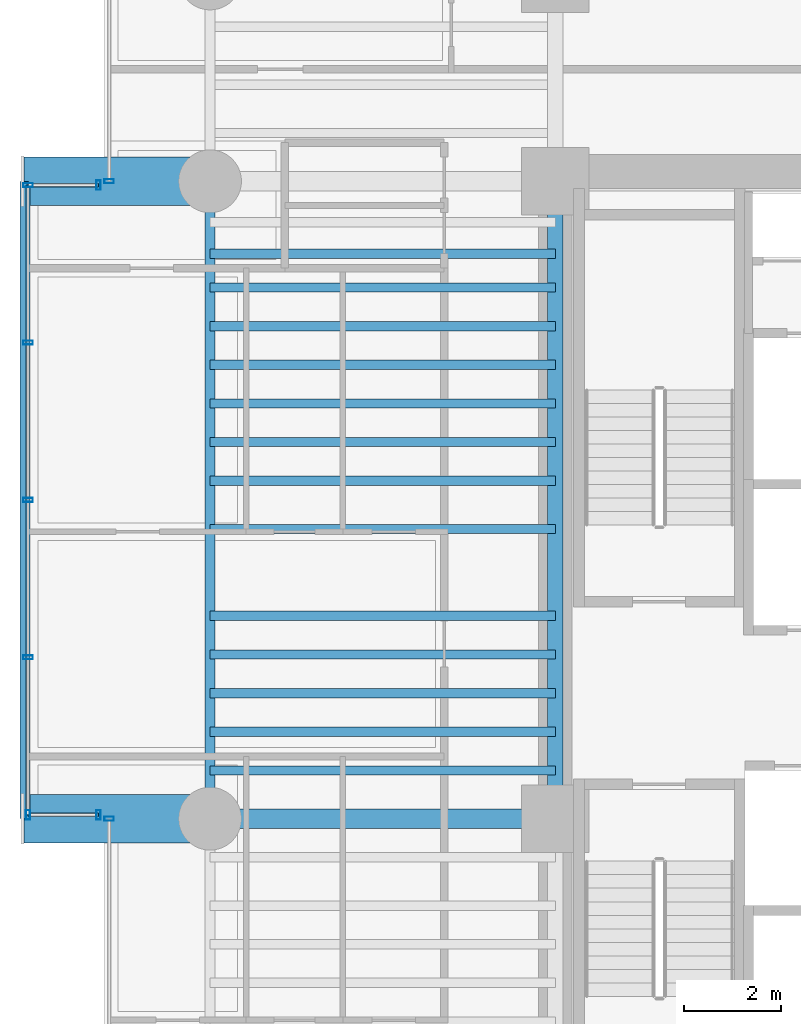
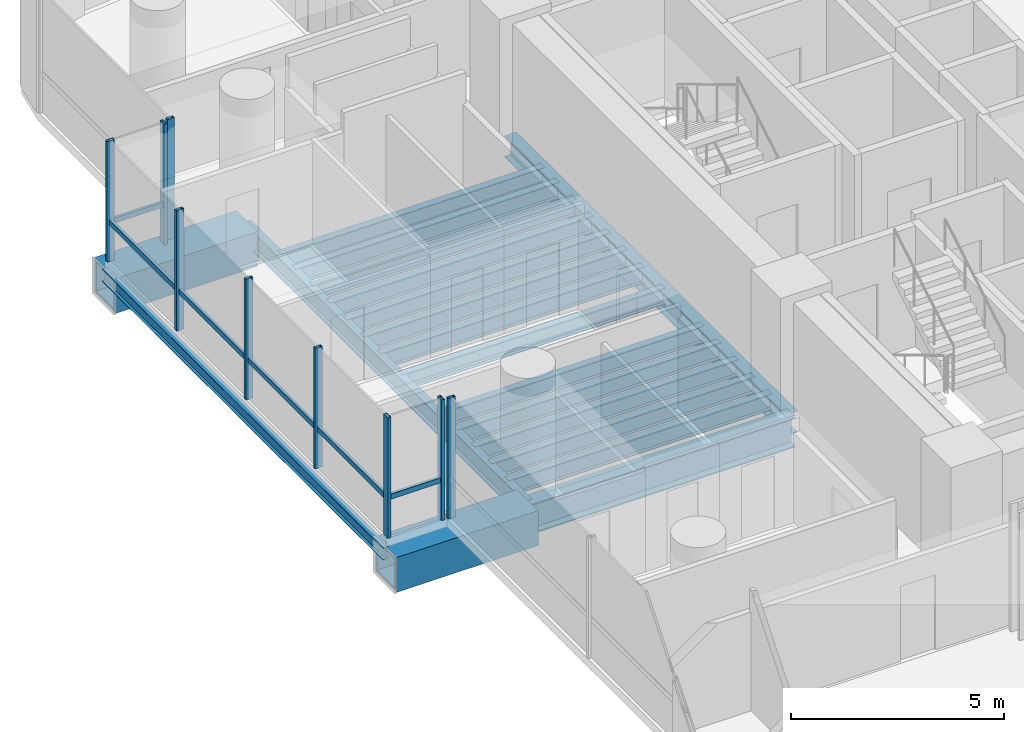
# One storey, part 8 of 40: 19 beams, 12 members, 5 elements without a shape of their own.
"""IFC4 building model written with IfcOpenShell, lengths in metres."""

import ifcopenshell
import ifcopenshell.guid

model = None  # the IFC model being written
_history = None  # IfcOwnerHistory: only IFC2X3 demands one
_inside = {}  # id of a spatial element -> (the spatial element, [elements in it])
_under = {}  # id of a project, library or spatial element -> (it, [spatial elements below it])
_declared = {}  # id of a project -> (the project, [libraries it declares])
_typed = {}  # id of a type object -> (the type object, [elements of that type])
_made_of = {}  # id of a material, layer set ... -> (it, [elements and type objects made of it])


def new_model(schema):
    """Start an empty IFC model of exactly this schema.

    Asked for "IFC4X3", IfcOpenShell would pick the latest addendum, in which some entities
    have other attributes; the version numbers below select the first issue.
    IFC2X3 requires an IfcOwnerHistory on every rooted entity: one is made here for all.
    """
    global model, _history
    if schema == "IFC4X3":
        model = ifcopenshell.file(schema_version=(4, 3, 0, 0))
    else:
        model = ifcopenshell.file(schema=schema)
    _inside.clear()
    _under.clear()
    _declared.clear()
    _typed.clear()
    _made_of.clear()
    _history = None
    if model.schema == "IFC2X3":
        org = make("IfcOrganization", Name="unknown")
        user = make(
            "IfcPersonAndOrganization",
            ThePerson=make("IfcPerson", FamilyName="unknown"),
            TheOrganization=org,
        )
        app = make(
            "IfcApplication",
            ApplicationDeveloper=org,
            Version="unknown",
            ApplicationFullName="unknown",
            ApplicationIdentifier="unknown",
        )
        _history = make(
            "IfcOwnerHistory",
            OwningUser=user,
            OwningApplication=app,
            ChangeAction="ADDED",
            CreationDate=0,
        )
    return model


def make(cls, **values):
    """One entity of the class cls with the attributes given. An attribute that is None is left unset."""
    return model.create_entity(
        cls, **{name: value for name, value in values.items() if value is not None}
    )


def rooted(cls, **values):
    """An entity with a GlobalId (a new one), such as an element, a storey or a relation."""
    return make(cls, GlobalId=ifcopenshell.guid.new(), OwnerHistory=_history, **values)


def si_unit(unit_type, name, prefix=None):
    """IfcSIUnit, for example si_unit("LENGTHUNIT", "METRE", prefix="MILLI")."""
    return make("IfcSIUnit", UnitType=unit_type, Prefix=prefix, Name=name)


def assignment(units):
    """IfcUnitAssignment: the units of a project."""
    return None if units is None else make("IfcUnitAssignment", Units=units)


def point(xyz):
    """IfcCartesianPoint."""
    return None if xyz is None else make("IfcCartesianPoint", Coordinates=xyz)


def direction(xyz):
    """IfcDirection."""
    return None if xyz is None else make("IfcDirection", DirectionRatios=xyz)


def frame(location, z_axis=None, x_axis=None):
    """IfcAxis2Placement3D, a coordinate frame: its origin and axes. An axis left out is left unset."""
    return make(
        "IfcAxis2Placement3D",
        Location=point(location),
        Axis=direction(z_axis),
        RefDirection=direction(x_axis),
    )


def frame_2d(location, x_axis=None):
    """IfcAxis2Placement2D, a coordinate frame in the plane: its origin and x axis."""
    return make(
        "IfcAxis2Placement2D", Location=point(location), RefDirection=direction(x_axis)
    )


def origin():
    """The frame at (0, 0, 0) with its axes left unset."""
    return frame((0.0, 0.0, 0.0))


def origin_2d():
    """The frame at (0, 0) in the plane with its x axis left unset."""
    return frame_2d((0.0, 0.0))


def place(relative_to, where):
    """IfcLocalPlacement: puts the frame where relative to a parent placement (None: the world)."""
    return make(
        "IfcLocalPlacement", PlacementRelTo=relative_to, RelativePlacement=where
    )


def context(
    kind, dimensions, precision=None, world=None, true_north=None, identifier=None
):
    """IfcGeometricRepresentationContext, for example the 3D "Model" context."""
    return make(
        "IfcGeometricRepresentationContext",
        ContextIdentifier=identifier,
        ContextType=kind,
        CoordinateSpaceDimension=dimensions,
        Precision=precision,
        WorldCoordinateSystem=world,
        TrueNorth=true_north,
    )


def subcontext(parent, identifier, kind, view, scale=None):
    """IfcGeometricRepresentationSubContext, for example "Body" below "Model"."""
    return make(
        "IfcGeometricRepresentationSubContext",
        ContextIdentifier=identifier,
        ContextType=kind,
        ParentContext=parent,
        TargetScale=scale,
        TargetView=view,
    )


def project(units=None, contexts=None):
    """IfcProject with its units and contexts."""
    return rooted(
        "IfcProject",
        Name="project",
        RepresentationContexts=contexts,
        UnitsInContext=assignment(units),
    )


def spatial(cls, under=None, at=None, **own):
    """A site, building, storey or space (cls), placed at a placement, below another one or the project."""
    s = rooted(cls, ObjectPlacement=at, **own)
    if under is not None:
        _under.setdefault(under.id(), (under, []))[1].append(s)
    return s


def profile(cls, at=None, kind="AREA", **sizes):
    """A parametric profile (cls). Its sizes go by their IFC names, for example OverallWidth=200.0."""
    return make(cls, ProfileType=kind, Position=at, **sizes)


def hollow_rectangle(**sizes):
    """IfcRectangleHollowProfileDef."""
    return profile("IfcRectangleHollowProfileDef", **sizes)


def i_section(**sizes):
    """IfcIShapeProfileDef."""
    return profile("IfcIShapeProfileDef", **sizes)


def extrude(swept, where, along, depth):
    """IfcExtrudedAreaSolid: the profile swept, set in the frame where, extruded along a direction by depth."""
    return make(
        "IfcExtrudedAreaSolid",
        SweptArea=swept,
        Position=where,
        ExtrudedDirection=direction(along),
        Depth=depth,
    )


def shape(context_of_items, identifier, shape_type, items):
    """IfcShapeRepresentation: the items that make up one representation, for example the "Body"."""
    return make(
        "IfcShapeRepresentation",
        ContextOfItems=context_of_items,
        RepresentationIdentifier=identifier,
        RepresentationType=shape_type,
        Items=items,
    )


def source(mapping_origin, context_of_items, identifier, shape_type, items):
    """IfcRepresentationMap: a shape defined once, which mapped items show again and again."""
    return make(
        "IfcRepresentationMap",
        MappingOrigin=mapping_origin,
        MappedRepresentation=shape(context_of_items, identifier, shape_type, items),
    )


def transform(
    local_origin,
    x_axis=None,
    y_axis=None,
    z_axis=None,
    scale=None,
    scale2=None,
    scale3=None,
    uniform=True,
):
    """IfcCartesianTransformationOperator3D, or its non-uniform kind. x_axis, y_axis, z_axis: its Axis1, 2, 3."""
    if uniform:
        return make(
            "IfcCartesianTransformationOperator3D",
            Axis1=direction(x_axis),
            Axis2=direction(y_axis),
            LocalOrigin=point(local_origin),
            Scale=scale,
            Axis3=direction(z_axis),
        )
    return make(
        "IfcCartesianTransformationOperator3DnonUniform",
        Axis1=direction(x_axis),
        Axis2=direction(y_axis),
        LocalOrigin=point(local_origin),
        Scale=scale,
        Axis3=direction(z_axis),
        Scale2=scale2,
        Scale3=scale3,
    )


def mapped(mapping_source, mapping_target):
    """IfcMappedItem: shows the shape of a source again, moved by a transform."""
    return make(
        "IfcMappedItem", MappingSource=mapping_source, MappingTarget=mapping_target
    )


def material(Name=None, Category=None):
    """IfcMaterial."""
    return make("IfcMaterial", Name=Name, Category=Category)


def material_profile(
    of_material, cross_section, Name=None, Category=None, Priority=None
):
    """IfcMaterialProfile: a cross section and its material."""
    return make(
        "IfcMaterialProfile",
        Name=Name,
        Material=of_material,
        Profile=cross_section,
        Priority=Priority,
        Category=Category,
    )


def profile_set(profiles, Name=None, composite=None):
    """IfcMaterialProfileSet."""
    return make(
        "IfcMaterialProfileSet",
        Name=Name,
        MaterialProfiles=profiles,
        CompositeProfile=composite,
    )


def made_of(thing, what):
    """Note that an element or type object is made of a material, layer set ...; save() writes the relation."""
    if what is not None:
        _made_of.setdefault(what.id(), (what, []))[1].append(thing)
    return thing


def type_object(cls, material=None, **own):
    """A type object (cls), such as IfcWallType, which elements share."""
    return made_of(rooted(cls, **own), material)


def element(
    cls,
    number,
    at=None,
    inside=None,
    cuts=None,
    type_object=None,
    material=None,
    context=None,
    identifier="Body",
    shape_type=None,
    held_by="IfcProductDefinitionShape",
    body=None,
    shapes=None,
    **own,
):
    """One element of the class cls, such as IfcWall. Its Tag is "e" and its number.

    at: its placement. inside: the storey or other place that contains it. cuts: it is an
    opening in that element (IfcRelVoidsElement). A single representation is given by context,
    identifier, shape_type and body (its items); several are given by shapes. held_by: the class
    of the entity that holds the representations. save() writes the other relations.
    """
    e = rooted(cls, Tag="e%d" % number, ObjectPlacement=at, **own)
    if body is not None:
        shapes = [shape(context, identifier, shape_type, body)]
    if shapes is not None:
        e.Representation = make(held_by, Representations=shapes)
    if inside is not None:
        _inside.setdefault(inside.id(), (inside, []))[1].append(e)
    if cuts is not None:
        rooted(
            "IfcRelVoidsElement", RelatingBuildingElement=cuts, RelatedOpeningElement=e
        )
    if type_object is not None:
        _typed.setdefault(type_object.id(), (type_object, []))[1].append(e)
    return made_of(e, material)


def aggregate(whole, parts):
    """IfcRelAggregates: a whole, such as a stair, and the parts it consists of."""
    return rooted("IfcRelAggregates", RelatingObject=whole, RelatedObjects=parts)


def save(model, path):
    """Write the relations noted so far, then the file.

    IfcRelAggregates (storeys below a building ...), IfcRelContainedInSpatialStructure (elements
    in a storey), IfcRelDefinesByType, IfcRelAssociatesMaterial and IfcRelDeclares: one each for
    every whole, place, type object, material and project.
    """
    for whole, parts in _under.values():
        aggregate(whole, parts)
    for where, things in _inside.values():
        rooted(
            "IfcRelContainedInSpatialStructure",
            RelatedElements=things,
            RelatingStructure=where,
        )
    for kind, things in _typed.values():
        rooted("IfcRelDefinesByType", RelatedObjects=things, RelatingType=kind)
    for what, things in _made_of.values():
        rooted("IfcRelAssociatesMaterial", RelatedObjects=things, RelatingMaterial=what)
    for by, libraries in _declared.values():
        rooted("IfcRelDeclares", RelatingContext=by, RelatedDefinitions=libraries)
    model.write(path)


model = new_model("IFC4")

# Units and contexts
model_context = context("Model", 3, precision=1e-05, world=origin(), true_north=direction((0.0, 1.0)))
body_context = subcontext(model_context, "Body", "Model", "MODEL_VIEW")
ifc_project = project(units=[si_unit("LENGTHUNIT", "METRE"), si_unit("AREAUNIT", "SQUARE_METRE"), si_unit("VOLUMEUNIT", "CUBIC_METRE"), si_unit("PLANEANGLEUNIT", "RADIAN"), si_unit("MASSUNIT", "GRAM", prefix="KILO")], contexts=[model_context])

# Site, building, storey
site_placement = place(None, origin())
site = spatial("IfcSite", under=ifc_project, at=site_placement, CompositionType="ELEMENT")
building_placement = place(site_placement, origin())
building = spatial("IfcBuilding", under=site, at=building_placement, Name="Valdorenza Pilgrim Sanctuary Tower", CompositionType="ELEMENT")
storey_placement = place(building_placement, frame((0.0, 0.0, 40.800048828125)))
storey = spatial("IfcBuildingStorey", under=building, at=storey_placement, Name="L09", CompositionType="ELEMENT", Elevation=40.800048828125)

# Beams
ifc_material_1 = material(Name="Steel ASTM A992 Grade 50", Category="steel")
ifc_material_profile_1 = material_profile(ifc_material_1, i_section(OverallWidth=0.214111328125, OverallDepth=0.549072265625, WebThickness=0.0146484375, FlangeThickness=0.023681640625, at=origin_2d()), Name="W21X93")
ifc_profile_set_1 = profile_set([ifc_material_profile_1], Name="Steel ASTM A992 Grade 50")
beam_type_1 = type_object("IfcBeamType", Name="STR-BM-SPN-W21A", PredefinedType="SPANDREL", material=ifc_profile_set_1)
shared_shape_1 = source(origin(), body_context, "Body", "SweptSolid", [
    extrude(i_section(OverallWidth=0.214111328125, OverallDepth=0.549072265625, WebThickness=0.0146484375, FlangeThickness=0.023681640625, at=origin_2d()), origin(), (0.0, 0.0, 1.0), 13.2001953125),
])
beam_1_placement = place(storey_placement, frame((-29.800048828125, -2.60009765625, -0.5146484375), z_axis=(0.0, 1.0, 0.0), x_axis=(-1.0, 0.0, 0.0)))
element("IfcBeam", 1, at=beam_1_placement, inside=storey, type_object=beam_type_1, Name="L09 Spandrel Beam WA-W-M0N1", PredefinedType="SPANDREL", context=body_context, shape_type="MappedRepresentation", body=[
    mapped(shared_shape_1, transform((0.0, 0.0, 0.0), x_axis=(1.0, 0.0, 0.0), y_axis=(0.0, 1.0, 0.0), z_axis=(0.0, 0.0, 1.0), scale=1.0)),
])
ifc_material_profile_2 = material_profile(ifc_material_1, i_section(OverallWidth=0.323974609375, OverallDepth=0.611083984375, WebThickness=0.0126953125, FlangeThickness=0.01904296875, at=origin_2d()), Name="W24X104")
ifc_profile_set_2 = profile_set([ifc_material_profile_2], Name="Steel ASTM A992 Grade 50")
beam_type_2 = type_object("IfcBeamType", Name="STR-BM-GRD-W24B", PredefinedType="BEAM", material=ifc_profile_set_2)
shared_shape_2 = source(origin(), body_context, "Body", "SweptSolid", [
    extrude(i_section(OverallWidth=0.323974609375, OverallDepth=0.611083984375, WebThickness=0.0126953125, FlangeThickness=0.01904296875, at=origin_2d()), origin(), (0.0, 0.0, 1.0), 13.2001953125),
])
beam_2_placement = place(storey_placement, frame((-22.64990234375, -2.60009765625, -0.545654296875), z_axis=(0.0, 1.0, 0.0), x_axis=(-1.0, 0.0, 0.0)))
element("IfcBeam", 2, at=beam_2_placement, inside=storey, type_object=beam_type_2, Name="L09 Core Tie Girder CA-W-M0N1", PredefinedType="BEAM", context=body_context, shape_type="MappedRepresentation", body=[
    mapped(shared_shape_2, transform((0.0, 0.0, 0.0), x_axis=(1.0, 0.0, 0.0), y_axis=(0.0, 1.0, 0.0), z_axis=(0.0, 0.0, 1.0), scale=1.0)),
])
ifc_material_profile_3 = material_profile(ifc_material_1, i_section(OverallWidth=0.193115234375, OverallDepth=0.466064453125, WebThickness=0.011474609375, FlangeThickness=0.01904296875, at=origin_2d()), Name="W18X65")
ifc_profile_set_3 = profile_set([ifc_material_profile_3], Name="Steel ASTM A992 Grade 50")
beam_type_3 = type_object("IfcBeamType", Name="STR-BM-JST-W18A", PredefinedType="JOIST", material=ifc_profile_set_3)
shared_shape_3 = source(origin(), body_context, "Body", "SweptSolid", [
    extrude(i_section(OverallWidth=0.193115234375, OverallDepth=0.466064453125, WebThickness=0.011474609375, FlangeThickness=0.01904296875, at=origin_2d()), origin(), (0.0, 0.0, 1.0), 7.150146484375),
])
for number, where, z_axis, x_axis, name in (
    (3, (-29.800048828125, -1.60009765625, -0.47314453125), (1.0, 0.0, 0.0), (0.0, 1.0, 0.0), "L09 Composite Floor Joist JST-WA-10"),
    (4, (-29.800048828125, -0.800048828125, -0.47314453125), (1.0, 0.0, 0.0), (0.0, 1.0, 0.0), "L09 Composite Floor Joist JST-WA-11"),
    (5, (-29.800048828125, 0.0, -0.47314453125), (1.0, 0.0, 0.0), (0.0, 1.0, 0.0), "L09 Composite Floor Joist JST-WA-12"),
    (6, (-29.800048828125, 0.800048828125, -0.47314453125), (1.0, 0.0, 0.0), (0.0, 1.0, 0.0), "L09 Composite Floor Joist JST-WA-13"),
    (7, (-29.800048828125, 1.60009765625, -0.47314453125), (1.0, 0.0, 0.0), (0.0, 1.0, 0.0), "L09 Composite Floor Joist JST-WA-14"),
    (8, (-29.800048828125, 3.39990234375, -0.47314453125), (1.0, 0.0, 0.0), (0.0, 1.0, 0.0), "L09 Composite Floor Joist JST-WA-15"),
    (9, (-29.800048828125, 4.39990234375, -0.47314453125), (1.0, 0.0, 0.0), (0.0, 1.0, 0.0), "L09 Composite Floor Joist JST-WA-16"),
    (10, (-29.800048828125, 5.199951171875, -0.47314453125), (1.0, 0.0, 0.0), (0.0, 1.0, 0.0), "L09 Composite Floor Joist JST-WA-17"),
    (11, (-29.800048828125, 6.0, -0.47314453125), (1.0, 0.0, 0.0), (0.0, 1.0, 0.0), "L09 Composite Floor Joist JST-WA-18"),
    (12, (-29.800048828125, 6.800048828125, -0.47314453125), (1.0, 0.0, 0.0), (0.0, 1.0, 0.0), "L09 Composite Floor Joist JST-WA-19"),
    (13, (-29.800048828125, 7.60009765625, -0.47314453125), (1.0, 0.0, 0.0), (0.0, 1.0, 0.0), "L09 Composite Floor Joist JST-WA-20"),
    (14, (-29.800048828125, 8.39990234375, -0.47314453125), (1.0, 0.0, 0.0), (0.0, 1.0, 0.0), "L09 Composite Floor Joist JST-WA-21"),
    (15, (-29.800048828125, 9.10009765625, -0.47314453125), (1.0, 0.0, 0.0), (0.0, 1.0, 0.0), "L09 Composite Floor Joist JST-WA-22"),
):
    element("IfcBeam", number, at=place(storey_placement, frame(where, z_axis=z_axis, x_axis=x_axis)), inside=storey, type_object=beam_type_3, Name=name, PredefinedType="JOIST", context=body_context, shape_type="MappedRepresentation", body=[
        mapped(shared_shape_3, transform((0.0, 0.0, 0.0), x_axis=(1.0, 0.0, 0.0), y_axis=(0.0, 1.0, 0.0), z_axis=(0.0, 0.0, 1.0), scale=1.0)),
    ])
ifc_material_2 = material(Name="Steel ASTM A572 Grade 42", Category="steel")
ifc_material_profile_4 = material_profile(ifc_material_2, hollow_rectangle(XDim=1.0, YDim=1.0, WallThickness=0.080078125, at=origin_2d()), Name="BOX 1000x1000x80")
ifc_profile_set_4 = profile_set([ifc_material_profile_4], Name="Steel ASTM A572 Grade 42")
beam_type_4 = type_object("IfcBeamType", Name="STR-BM-PROW-CANT", PredefinedType="BEAM", material=ifc_profile_set_4)
shared_shape_4 = source(origin(), body_context, "Body", "SweptSolid", [
    extrude(hollow_rectangle(XDim=1.0, YDim=1.0, WallThickness=0.080078125, at=origin_2d()), origin(), (0.0, 0.0, 1.0), 3.849853515625),
])
for number, where, z_axis, x_axis, name in (
    (16, (-29.800048828125, 10.60009765625, -0.739990234375), (-1.0, 0.0, 0.0), (0.0, -1.0, 0.0), "L09 Glass Box Cantilever Beam BOX-WA-L09-CT-N"),
    (17, (-29.800048828125, -2.60009765625, -0.739990234375), (-1.0, 0.0, 0.0), (0.0, -1.0, 0.0), "L09 Glass Box Cantilever Beam BOX-WA-L09-CT-S"),
):
    element("IfcBeam", number, at=place(storey_placement, frame(where, z_axis=z_axis, x_axis=x_axis)), inside=storey, type_object=beam_type_4, Name=name, PredefinedType="BEAM", context=body_context, shape_type="MappedRepresentation", body=[
        mapped(shared_shape_4, transform((0.0, 0.0, 0.0), x_axis=(1.0, 0.0, 0.0), y_axis=(0.0, 1.0, 0.0), z_axis=(0.0, 0.0, 1.0), scale=1.0)),
    ])
ifc_material_profile_5 = material_profile(ifc_material_1, i_section(OverallWidth=0.39990234375, OverallDepth=0.862060546875, WebThickness=0.019775390625, FlangeThickness=0.032470703125, at=origin_2d()), Name="W33X221")
ifc_profile_set_5 = profile_set([ifc_material_profile_5], Name="Steel ASTM A992 Grade 50")
beam_type_5 = type_object("IfcBeamType", Name="STR-BM-GRD-W33", PredefinedType="BEAM", material=ifc_profile_set_5)
shared_shape_5 = source(origin(), body_context, "Body", "SweptSolid", [
    extrude(i_section(OverallWidth=0.39990234375, OverallDepth=0.862060546875, WebThickness=0.019775390625, FlangeThickness=0.032470703125, at=origin_2d()), origin(), (0.0, 0.0, 1.0), 7.150146484375),
])
beam_3_placement = place(storey_placement, frame((-29.800048828125, -2.60009765625, -0.671142578125), z_axis=(1.0, 0.0, 0.0), x_axis=(0.0, 1.0, 0.0)))
element("IfcBeam", 18, at=beam_3_placement, inside=storey, type_object=beam_type_5, Name="L09 Floor Girder WA-XW-M0", PredefinedType="BEAM", context=body_context, shape_type="MappedRepresentation", body=[
    mapped(shared_shape_5, transform((0.0, 0.0, 0.0), x_axis=(1.0, 0.0, 0.0), y_axis=(0.0, 1.0, 0.0), z_axis=(0.0, 0.0, 1.0), scale=1.0)),
])
ifc_material_profile_6 = material_profile(ifc_material_1, i_section(OverallWidth=0.1708984375, OverallDepth=0.35107421875, WebThickness=0.0068359375, FlangeThickness=0.009765625, at=origin_2d()), Name="W14X30")
ifc_profile_set_6 = profile_set([ifc_material_profile_6], Name="Steel ASTM A992 Grade 50")
beam_type_6 = type_object("IfcBeamType", Name="STR-BM-BOX-W14", PredefinedType="BEAM", material=ifc_profile_set_6)
shared_shape_6 = source(origin(), body_context, "Body", "SweptSolid", [
    extrude(i_section(OverallWidth=0.1708984375, OverallDepth=0.35107421875, WebThickness=0.0068359375, FlangeThickness=0.009765625, at=origin_2d()), origin(), (0.0, 0.0, 1.0), 13.2001953125),
])
beam_4_placement = place(storey_placement, frame((-33.64990234375, -2.60009765625, -0.41552734375), z_axis=(0.0, 1.0, 0.0), x_axis=(-1.0, 0.0, 0.0)))
element("IfcBeam", 19, at=beam_4_placement, inside=storey, type_object=beam_type_6, Name="L09 Glass Box Edge Beam BOX-WA-L09-F", PredefinedType="BEAM", context=body_context, shape_type="MappedRepresentation", body=[
    mapped(shared_shape_6, transform((0.0, 0.0, 0.0), x_axis=(1.0, 0.0, 0.0), y_axis=(0.0, 1.0, 0.0), z_axis=(0.0, 0.0, 1.0), scale=1.0)),
])

# Curtain wall, member
ifc_material_3 = material(Name="Curtain-wall IGU glazing", Category="glass")
curtain_wall_type = type_object("IfcCurtainWallType", Name="CW-SYS-02", PredefinedType="NOTDEFINED", material=ifc_material_3)
curtain_wall_1_placement = place(storey_placement, origin())
curtain_wall_1 = element("IfcCurtainWall", 20, at=curtain_wall_1_placement, inside=storey, type_object=curtain_wall_type, Name="L09 Curtain Wall CW-L09-1-1S1", PredefinedType="NOTDEFINED")
ifc_material_4 = material(Name="Anodised aluminium AW-6060", Category="aluminium")
ifc_material_profile_7 = material_profile(ifc_material_4, hollow_rectangle(XDim=0.0849609375, YDim=0.199951171875, WallThickness=0.0048828125, at=origin_2d()), Name="ALU-M 200x85x5")
ifc_profile_set_7 = profile_set([ifc_material_profile_7], Name="Anodised aluminium AW-6060")
member_type_1 = type_object("IfcMemberType", Name="CW-MUL-02", PredefinedType="MULLION", material=ifc_profile_set_7)
shared_shape_7 = source(origin(), body_context, "Body", "SweptSolid", [
    extrude(hollow_rectangle(XDim=0.0849609375, YDim=0.199951171875, WallThickness=0.0048828125, at=origin_2d()), origin(), (0.0, 0.0, 1.0), 3.4599609375),
])
member_1_placement = place(storey_placement, frame((-31.889892578125, -2.60009765625, 0.0), z_axis=(0.0, 0.0, 1.0), x_axis=(0.0, 1.0, 0.0)))
member_1 = element("IfcMember", 21, at=member_1_placement, type_object=member_type_1, Name="CW-L09-1-1S1 Mullion 3", PredefinedType="MULLION", context=body_context, shape_type="MappedRepresentation", body=[
    mapped(shared_shape_7, transform((0.0, 0.0, 0.0), x_axis=(1.0, 0.0, 0.0), y_axis=(0.0, 1.0, 0.0), z_axis=(0.0, 0.0, 1.0), scale=1.0)),
])
aggregate(curtain_wall_1, [member_1])

curtain_wall_2_placement = place(storey_placement, origin())
curtain_wall_2 = element("IfcCurtainWall", 22, at=curtain_wall_2_placement, inside=storey, type_object=curtain_wall_type, Name="L09 Curtain Wall CW-L09-1-1S2", PredefinedType="NOTDEFINED")
member_2_placement = place(storey_placement, frame((-31.889892578125, 10.60009765625, 0.0), z_axis=(0.0, 0.0, 1.0), x_axis=(0.0, 1.0, 0.0)))
member_2 = element("IfcMember", 23, at=member_2_placement, type_object=member_type_1, Name="CW-L09-1-1S2 Mullion 1", PredefinedType="MULLION", context=body_context, shape_type="MappedRepresentation", body=[
    mapped(shared_shape_7, transform((0.0, 0.0, 0.0), x_axis=(1.0, 0.0, 0.0), y_axis=(0.0, 1.0, 0.0), z_axis=(0.0, 0.0, 1.0), scale=1.0)),
])
aggregate(curtain_wall_2, [member_2])

# Curtain wall, members
curtain_wall_3_placement = place(storey_placement, origin())
curtain_wall_3 = element("IfcCurtainWall", 24, at=curtain_wall_3_placement, inside=storey, type_object=curtain_wall_type, Name="L09 Curtain Wall CW-L09-BOX-WA-L09-S", PredefinedType="NOTDEFINED")
member_3_placement = place(storey_placement, frame((-32.110107421875, -2.52001953125, 0.0), z_axis=(0.0, 0.0, 1.0), x_axis=(-1.0, 0.0, 0.0)))
member_3 = element("IfcMember", 25, at=member_3_placement, type_object=member_type_1, Name="CW-L09-BOX-WA-L09-S Mullion 1", PredefinedType="MULLION", context=body_context, shape_type="MappedRepresentation", body=[
    mapped(shared_shape_7, transform((0.0, 0.0, 0.0), x_axis=(1.0, 0.0, 0.0), y_axis=(0.0, 1.0, 0.0), z_axis=(0.0, 0.0, 1.0), scale=1.0)),
])
member_4_placement = place(storey_placement, frame((-33.570068359375, -2.52001953125, 0.0), z_axis=(0.0, 0.0, 1.0), x_axis=(-1.0, 0.0, 0.0)))
member_4 = element("IfcMember", 26, at=member_4_placement, type_object=member_type_1, Name="CW-L09-BOX-WA-L09-S Mullion 2", PredefinedType="MULLION", context=body_context, shape_type="MappedRepresentation", body=[
    mapped(shared_shape_7, transform((0.0, 0.0, 0.0), x_axis=(1.0, 0.0, 0.0), y_axis=(0.0, 1.0, 0.0), z_axis=(0.0, 0.0, 1.0), scale=1.0)),
])

curtain_wall_4_placement = place(storey_placement, origin())
curtain_wall_4 = element("IfcCurtainWall", 27, at=curtain_wall_4_placement, inside=storey, type_object=curtain_wall_type, Name="L09 Curtain Wall CW-L09-BOX-WA-L09-F", PredefinedType="NOTDEFINED")
member_5_placement = place(storey_placement, frame((-33.570068359375, 0.739990234375, 0.0), z_axis=(0.0, 0.0, 1.0), x_axis=(0.0, 1.0, 0.0)))
member_5 = element("IfcMember", 28, at=member_5_placement, type_object=member_type_1, Name="CW-L09-BOX-WA-L09-F Mullion 2", PredefinedType="MULLION", context=body_context, shape_type="MappedRepresentation", body=[
    mapped(shared_shape_7, transform((0.0, 0.0, 0.0), x_axis=(1.0, 0.0, 0.0), y_axis=(0.0, 1.0, 0.0), z_axis=(0.0, 0.0, 1.0), scale=1.0)),
])
member_6_placement = place(storey_placement, frame((-33.570068359375, 4.0, 0.0), z_axis=(0.0, 0.0, 1.0), x_axis=(0.0, 1.0, 0.0)))
member_6 = element("IfcMember", 29, at=member_6_placement, type_object=member_type_1, Name="CW-L09-BOX-WA-L09-F Mullion 3", PredefinedType="MULLION", context=body_context, shape_type="MappedRepresentation", body=[
    mapped(shared_shape_7, transform((0.0, 0.0, 0.0), x_axis=(1.0, 0.0, 0.0), y_axis=(0.0, 1.0, 0.0), z_axis=(0.0, 0.0, 1.0), scale=1.0)),
])
member_7_placement = place(storey_placement, frame((-33.570068359375, 7.260009765625, 0.0), z_axis=(0.0, 0.0, 1.0), x_axis=(0.0, 1.0, 0.0)))
member_7 = element("IfcMember", 30, at=member_7_placement, type_object=member_type_1, Name="CW-L09-BOX-WA-L09-F Mullion 4", PredefinedType="MULLION", context=body_context, shape_type="MappedRepresentation", body=[
    mapped(shared_shape_7, transform((0.0, 0.0, 0.0), x_axis=(1.0, 0.0, 0.0), y_axis=(0.0, 1.0, 0.0), z_axis=(0.0, 0.0, 1.0), scale=1.0)),
])
member_8_placement = place(storey_placement, frame((-33.570068359375, 10.52001953125, 0.0), z_axis=(0.0, 0.0, 1.0), x_axis=(0.0, 1.0, 0.0)))
member_8 = element("IfcMember", 31, at=member_8_placement, type_object=member_type_1, Name="CW-L09-BOX-WA-L09-F Mullion 5", PredefinedType="MULLION", context=body_context, shape_type="MappedRepresentation", body=[
    mapped(shared_shape_7, transform((0.0, 0.0, 0.0), x_axis=(1.0, 0.0, 0.0), y_axis=(0.0, 1.0, 0.0), z_axis=(0.0, 0.0, 1.0), scale=1.0)),
])

# Curtain wall, member
curtain_wall_5_placement = place(storey_placement, origin())
curtain_wall_5 = element("IfcCurtainWall", 32, at=curtain_wall_5_placement, inside=storey, type_object=curtain_wall_type, Name="L09 Curtain Wall CW-L09-BOX-WA-L09-N", PredefinedType="NOTDEFINED")
member_9_placement = place(storey_placement, frame((-32.110107421875, 10.52001953125, 0.0), z_axis=(0.0, 0.0, 1.0), x_axis=(1.0, 0.0, 0.0)))
member_9 = element("IfcMember", 33, at=member_9_placement, type_object=member_type_1, Name="CW-L09-BOX-WA-L09-N Mullion 2", PredefinedType="MULLION", context=body_context, shape_type="MappedRepresentation", body=[
    mapped(shared_shape_7, transform((0.0, 0.0, 0.0), x_axis=(1.0, 0.0, 0.0), y_axis=(0.0, 1.0, 0.0), z_axis=(0.0, 0.0, 1.0), scale=1.0)),
])

# Member
ifc_material_profile_8 = material_profile(ifc_material_4, hollow_rectangle(XDim=0.074951171875, YDim=0.14990234375, WallThickness=0.00390625, at=origin_2d()), Name="ALU-T 150x75x4")
ifc_profile_set_8 = profile_set([ifc_material_profile_8], Name="Anodised aluminium AW-6060")
member_type_2 = type_object("IfcMemberType", Name="CW-TRN-02", PredefinedType="USERDEFINED", material=ifc_profile_set_8)
shared_shape_8 = source(origin(), body_context, "Body", "SweptSolid", [
    extrude(hollow_rectangle(XDim=0.074951171875, YDim=0.14990234375, WallThickness=0.00390625, at=origin_2d()), origin(), (0.0, 0.0, 1.0), 1.4599609375),
])
member_10_placement = place(storey_placement, frame((-32.110107421875, -2.52001953125, 1.119873046875), z_axis=(-1.0, 0.0, 0.0), x_axis=(0.0, -1.0, 0.0)))
member_10 = element("IfcMember", 34, at=member_10_placement, type_object=member_type_2, Name="CW-L09-BOX-WA-L09-S Transom 1", ObjectType="TRANSOM", PredefinedType="USERDEFINED", context=body_context, shape_type="MappedRepresentation", body=[
    mapped(shared_shape_8, transform((0.0, 0.0, 0.0), x_axis=(1.0, 0.0, 0.0), y_axis=(0.0, 1.0, 0.0), z_axis=(0.0, 0.0, 1.0), scale=1.0)),
])

aggregate(curtain_wall_3, [member_3, member_4, member_10])

member_11_placement = place(storey_placement, frame((-33.570068359375, 10.52001953125, 1.119873046875), z_axis=(1.0, 0.0, 0.0), x_axis=(0.0, 1.0, 0.0)))
member_11 = element("IfcMember", 35, at=member_11_placement, type_object=member_type_2, Name="CW-L09-BOX-WA-L09-N Transom 1", ObjectType="TRANSOM", PredefinedType="USERDEFINED", context=body_context, shape_type="MappedRepresentation", body=[
    mapped(shared_shape_8, transform((0.0, 0.0, 0.0), x_axis=(1.0, 0.0, 0.0), y_axis=(0.0, 1.0, 0.0), z_axis=(0.0, 0.0, 1.0), scale=1.0)),
])

aggregate(curtain_wall_5, [member_9, member_11])

shared_shape_9 = source(origin(), body_context, "Body", "SweptSolid", [
    extrude(hollow_rectangle(XDim=0.074951171875, YDim=0.14990234375, WallThickness=0.00390625, at=origin_2d()), origin(), (0.0, 0.0, 1.0), 13.0400390625),
])
member_12_placement = place(storey_placement, frame((-33.570068359375, -2.52001953125, 1.119873046875), z_axis=(0.0, 1.0, 0.0), x_axis=(-1.0, 0.0, 0.0)))
member_12 = element("IfcMember", 36, at=member_12_placement, type_object=member_type_2, Name="CW-L09-BOX-WA-L09-F Transom 1", ObjectType="TRANSOM", PredefinedType="USERDEFINED", context=body_context, shape_type="MappedRepresentation", body=[
    mapped(shared_shape_9, transform((0.0, 0.0, 0.0), x_axis=(1.0, 0.0, 0.0), y_axis=(0.0, 1.0, 0.0), z_axis=(0.0, 0.0, 1.0), scale=1.0)),
])

aggregate(curtain_wall_4, [member_5, member_6, member_7, member_8, member_12])

save(model, "model.ifc")
